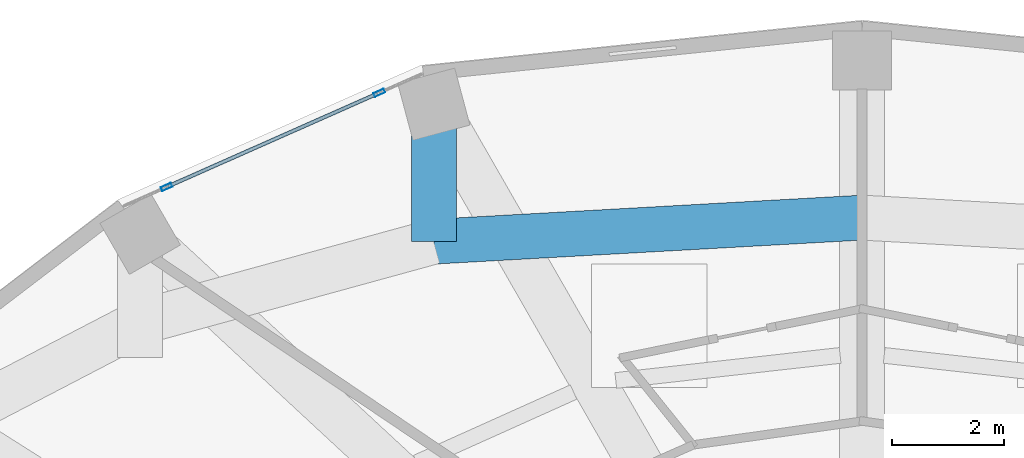
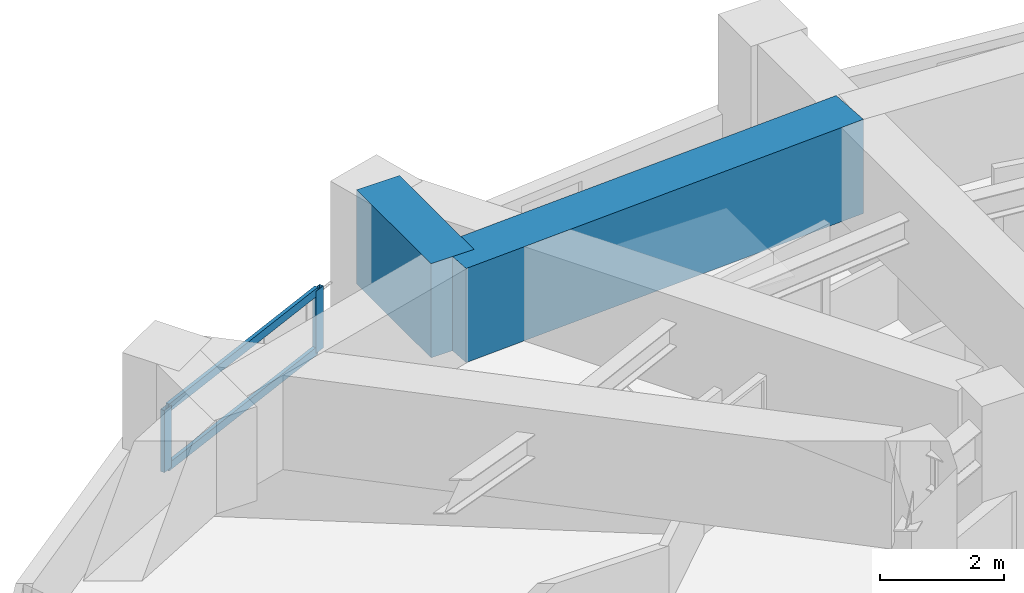
# One storey, part 6 of 16: 4 members, 2 beams, 1 element without a shape of its own.
"""IFC4 building model written with IfcOpenShell, lengths in metres."""

from ifc_helpers import new_model, si_unit, direction, frame, origin, origin_2d, place, context, subcontext, project, spatial, rectangle, hollow_rectangle, extrude, material, layer, layer_set, material_profile, profile_set, type_object, element, aggregate, save


model = new_model("IFC4")

# Units and contexts
model_context = context("Model", 3, precision=1e-05, world=origin(), true_north=direction((0.0, 1.0)))
body_context = subcontext(model_context, "Body", "Model", "MODEL_VIEW")
ifc_project = project(units=[si_unit("LENGTHUNIT", "METRE"), si_unit("AREAUNIT", "SQUARE_METRE"), si_unit("VOLUMEUNIT", "CUBIC_METRE"), si_unit("PLANEANGLEUNIT", "RADIAN"), si_unit("MASSUNIT", "GRAM", prefix="KILO")], contexts=[model_context])

# Site, building, storey
site_placement = place(None, origin())
site = spatial("IfcSite", under=ifc_project, at=site_placement, CompositionType="ELEMENT")
building_placement = place(site_placement, origin())
building = spatial("IfcBuilding", under=site, at=building_placement, Name="Solvane Sanctuary Tower", CompositionType="ELEMENT")
storey_placement = place(building_placement, frame((0.0, 0.0, 119.699951171875)))
storey = spatial("IfcBuildingStorey", under=building, at=storey_placement, Name="L36", CompositionType="ELEMENT", Elevation=119.699951171875)

# Beams
ifc_material_1 = material(Name="Concrete C70/85", Category="concrete")
ifc_material_profile_1 = material_profile(ifc_material_1, rectangle(XDim=0.800048828125, YDim=1.85009765625, at=origin_2d()), Name="RC800X1850")
ifc_profile_set_1 = profile_set([ifc_material_profile_1], Name="Concrete C70/85")
beam_type = type_object("IfcBeamType", Name="Beam B-XFER-BLK RC800X1850", PredefinedType="BEAM", material=ifc_profile_set_1)
beam_1_placement = place(storey_placement, frame((24.37060546875, 41.050048828125, 2.175048828125), z_axis=(0.0, -1.0, 0.0), x_axis=(1.0, 0.0, 0.0)))
element("IfcBeam", 1, at=beam_1_placement, inside=storey, type_object=beam_type, Name="L36 Block-Shift Transfer Tie 05B", PredefinedType="BEAM", context=body_context, shape_type="SweptSolid", body=[
    extrude(rectangle(XDim=0.800048828125, YDim=1.85009765625, at=origin_2d()), origin(), (0.0, 0.0, 1.0), 2.39794921875),
])
beam_2_placement = place(storey_placement, frame((24.37060546875, 38.652099609375, 2.175048828125), z_axis=(0.998430322971, 0.056007947397, 0.0), x_axis=(-0.056007947397, 0.998430322971, 0.0)))
element("IfcBeam", 2, at=beam_2_placement, inside=storey, type_object=beam_type, Name="L36 Perimeter Step Transfer Ring NTC05-NTC04", PredefinedType="BEAM", context=body_context, shape_type="SweptSolid", body=[
    extrude(rectangle(XDim=0.800048828125, YDim=1.85009765625, at=origin_2d()), origin(), (0.0, 0.0, 1.0), 7.641357421875),
])

# Curtain wall, members
ifc_material_2 = material(Name="Anodised Aluminium 6063-T6", Category="aluminium")
ifc_layer = layer(ifc_material_2, 0.179931640625, Name="Anodised Aluminium 6063-T6")
ifc_layer_set = layer_set([ifc_layer], Name="Anodised Aluminium 6063-T6")
curtain_wall_type = type_object("IfcCurtainWallType", Name="Curtain Wall CW-FRIT-Z2", PredefinedType="NOTDEFINED", material=ifc_layer_set)
curtain_wall_placement = place(storey_placement, origin())
curtain_wall = element("IfcCurtainWall", 3, at=curtain_wall_placement, inside=storey, type_object=curtain_wall_type, Name="L36 CW-FRIT-Z2 Facade Run 07", PredefinedType="NOTDEFINED")
ifc_material_profile_2 = material_profile(ifc_material_2, hollow_rectangle(XDim=0.074951171875, YDim=0.199951171875, WallThickness=0.00390625, at=origin_2d()), Name="ALU200X75X4")
ifc_profile_set_2 = profile_set([ifc_material_profile_2], Name="Anodised Aluminium 6063-T6")
member_type_1 = type_object("IfcMemberType", Name="Member M-CW-MUL-1 ALU200X75X4", PredefinedType="MULLION", material=ifc_profile_set_2)
member_1_placement = place(storey_placement, frame((23.399658203125, 41.30322265625, 0.0), z_axis=(0.0, 0.0, 1.0), x_axis=(0.404950504664, -0.914338607285, 0.0)))
member_1 = element("IfcMember", 4, at=member_1_placement, type_object=member_type_1, Name="CW-FRIT-Z2 mullion 1", PredefinedType="MULLION", context=body_context, shape_type="SweptSolid", body=[
    extrude(hollow_rectangle(XDim=0.074951171875, YDim=0.199951171875, WallThickness=0.00390625, at=origin_2d()), origin(), (0.0, 0.0, 1.0), 1.219970703125),
])
member_2_placement = place(storey_placement, frame((19.61083984375, 39.625244140625, 0.0), z_axis=(0.0, 0.0, 1.0), x_axis=(0.404950504664, -0.914338607285, 0.0)))
member_2 = element("IfcMember", 5, at=member_2_placement, type_object=member_type_1, Name="CW-FRIT-Z2 mullion 2", PredefinedType="MULLION", context=body_context, shape_type="SweptSolid", body=[
    extrude(hollow_rectangle(XDim=0.074951171875, YDim=0.199951171875, WallThickness=0.00390625, at=origin_2d()), origin(), (0.0, 0.0, 1.0), 1.219970703125),
])
ifc_material_profile_3 = material_profile(ifc_material_2, hollow_rectangle(XDim=0.06494140625, YDim=0.159912109375, WallThickness=0.00341796875, at=origin_2d()), Name="ALU160X65X3.5")
ifc_profile_set_3 = profile_set([ifc_material_profile_3], Name="Anodised Aluminium 6063-T6")
member_type_2 = type_object("IfcMemberType", Name="Member M-CW-TRN-1 ALU160X65X3.5", PredefinedType="USERDEFINED", material=ifc_profile_set_3)
member_3_placement = place(storey_placement, frame((23.365234375, 41.2880859375, 0.032470703125), z_axis=(-0.914332885629, -0.404963423357, 0.0), x_axis=(0.404963423357, -0.914332885629, 0.0)))
member_3 = element("IfcMember", 6, at=member_3_placement, type_object=member_type_2, Name="CW-FRIT-Z2 transom 1.1", ObjectType="TRANSOM", PredefinedType="USERDEFINED", context=body_context, shape_type="SweptSolid", body=[
    extrude(hollow_rectangle(XDim=0.06494140625, YDim=0.159912109375, WallThickness=0.00341796875, at=origin_2d()), origin(), (0.0, 0.0, 1.0), 4.06884765625),
])
member_4_placement = place(storey_placement, frame((23.365234375, 41.2880859375, 1.1875), z_axis=(-0.914332885629, -0.404963423357, 0.0), x_axis=(0.404963423357, -0.914332885629, 0.0)))
member_4 = element("IfcMember", 7, at=member_4_placement, type_object=member_type_2, Name="CW-FRIT-Z2 transom 1.2", ObjectType="TRANSOM", PredefinedType="USERDEFINED", context=body_context, shape_type="SweptSolid", body=[
    extrude(hollow_rectangle(XDim=0.06494140625, YDim=0.159912109375, WallThickness=0.00341796875, at=origin_2d()), origin(), (0.0, 0.0, 1.0), 4.06884765625),
])
aggregate(curtain_wall, [member_1, member_2, member_3, member_4])

save(model, "model.ifc")
